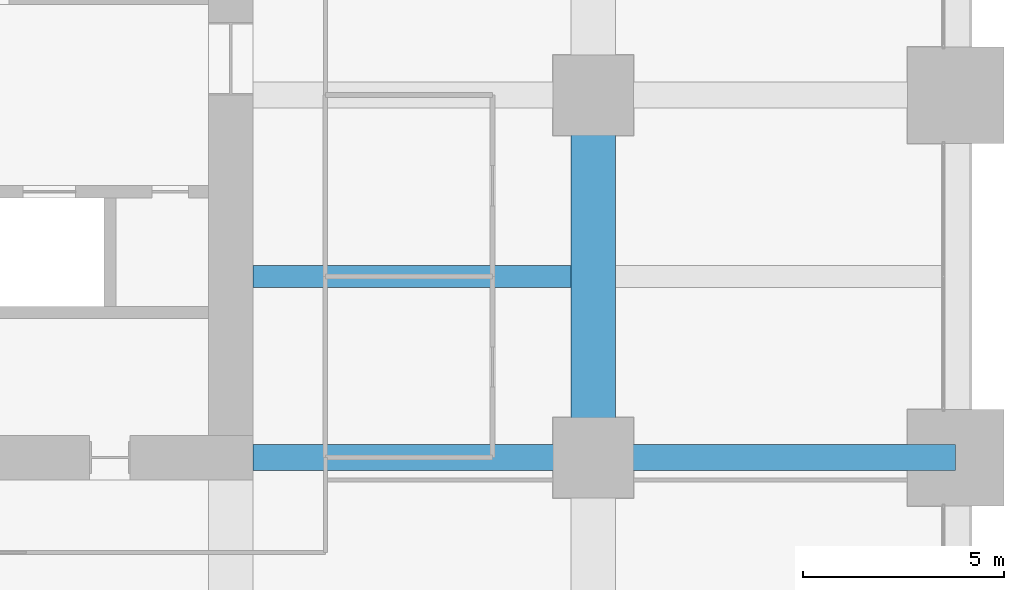
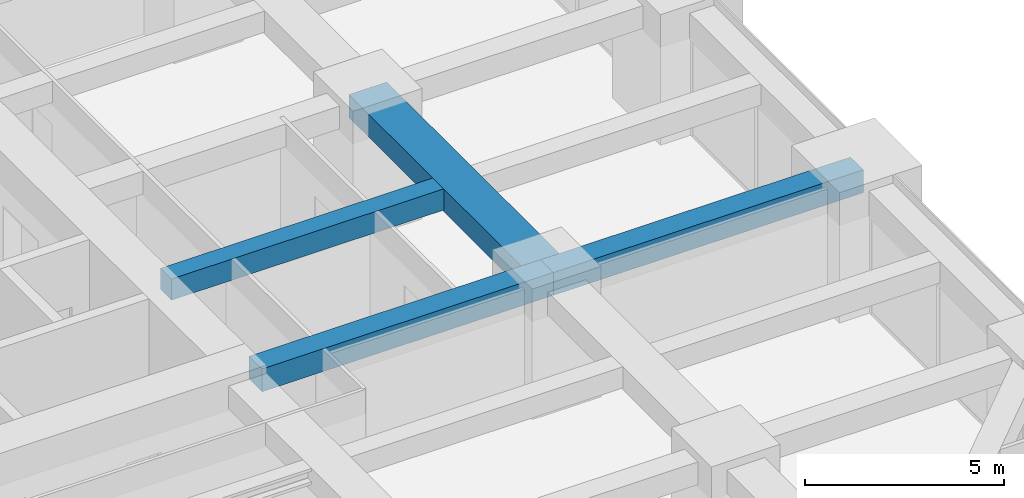
# One storey, part 20 of 39: 4 beams.
"""IFC4 building model written with IfcOpenShell, lengths in metres."""

from ifc_helpers import new_model, si_unit, direction, frame, origin, origin_2d, place, context, subcontext, project, spatial, rectangle, extrude, material, material_profile, profile_set, type_object, element, save


model = new_model("IFC4")

# Units and contexts
model_context = context("Model", 3, precision=1e-05, world=origin(), true_north=direction((0.0, 1.0)))
body_context = subcontext(model_context, "Body", "Model", "MODEL_VIEW")
ifc_project = project(units=[si_unit("LENGTHUNIT", "METRE"), si_unit("AREAUNIT", "SQUARE_METRE"), si_unit("VOLUMEUNIT", "CUBIC_METRE"), si_unit("PLANEANGLEUNIT", "RADIAN"), si_unit("MASSUNIT", "GRAM", prefix="KILO")], contexts=[model_context])

# Site, building, storey
site_placement = place(None, origin())
site = spatial("IfcSite", under=ifc_project, at=site_placement, CompositionType="ELEMENT")
building_placement = place(site_placement, origin())
building = spatial("IfcBuilding", under=site, at=building_placement, Name="Zorevar Civic Tower", CompositionType="ELEMENT")
storey_placement = place(building_placement, frame((0.0, 0.0, 117.0)))
storey = spatial("IfcBuildingStorey", under=building, at=storey_placement, Name="L28", CompositionType="ELEMENT", Elevation=117.0)

# Beams
ifc_material_1 = material(Name="Concrete C50/60", Category="concrete")
ifc_material_profile_1 = material_profile(ifc_material_1, rectangle(XDim=1.10009765625, YDim=0.699951171875, at=origin_2d()), Name="RC 1100x700")
ifc_profile_set_1 = profile_set([ifc_material_profile_1], Name="Concrete C50/60")
beam_type_1 = type_object("IfcBeamType", Name="Beam RC 1100x700", PredefinedType="BEAM", material=ifc_profile_set_1)
beam_1_placement = place(storey_placement, frame((54.0, 18.0, 3.39990234375), z_axis=(0.0, 1.0, 0.0), x_axis=(-1.0, 0.0, 0.0)))
element("IfcBeam", 1, at=beam_1_placement, inside=storey, type_object=beam_type_1, Name="Girder L29", PredefinedType="BEAM", context=body_context, shape_type="SweptSolid", body=[
    extrude(rectangle(XDim=1.10009765625, YDim=0.699951171875, at=origin_2d()), origin(), (0.0, 0.0, 1.0), 9.0),
])
ifc_material_2 = material(Name="Concrete C50/60", Category="concrete")
ifc_material_profile_2 = material_profile(ifc_material_2, rectangle(XDim=0.550048828125, YDim=0.64990234375, at=origin_2d()), Name="RC 550x650")
ifc_profile_set_2 = profile_set([ifc_material_profile_2], Name="Concrete C50/60")
beam_type_2 = type_object("IfcBeamType", Name="Beam RC 550x650", PredefinedType="BEAM", material=ifc_profile_set_2)
beam_2_placement = place(storey_placement, frame((45.550048828125, 22.5, 3.425048828125), z_axis=(1.0, 0.0, 0.0), x_axis=(0.0, 1.0, 0.0)))
element("IfcBeam", 2, at=beam_2_placement, inside=storey, type_object=beam_type_2, Name="Secondary beam L29", PredefinedType="BEAM", context=body_context, shape_type="SweptSolid", body=[
    extrude(rectangle(XDim=0.550048828125, YDim=0.64990234375, at=origin_2d()), origin(), (0.0, 0.0, 1.0), 7.89990234375),
])
ifc_material_3 = material(Name="Concrete C50/60", Category="concrete")
ifc_material_profile_3 = material_profile(ifc_material_3, rectangle(XDim=0.64990234375, YDim=0.699951171875, at=origin_2d()), Name="RC 650x700")
ifc_profile_set_3 = profile_set([ifc_material_profile_3], Name="Concrete C50/60")
beam_type_3 = type_object("IfcBeamType", Name="Beam RC 650x700", PredefinedType="BEAM", material=ifc_profile_set_3)
beam_3_placement = place(storey_placement, frame((45.550048828125, 18.0, 3.39990234375), z_axis=(1.0, 0.0, 0.0), x_axis=(0.0, 1.0, 0.0)))
element("IfcBeam", 3, at=beam_3_placement, inside=storey, type_object=beam_type_3, Name="Girder L29", PredefinedType="BEAM", context=body_context, shape_type="SweptSolid", body=[
    extrude(rectangle(XDim=0.64990234375, YDim=0.699951171875, at=origin_2d()), origin(), (0.0, 0.0, 1.0), 8.449951171875),
])
beam_4_placement = place(storey_placement, frame((54.0, 18.0, 3.39990234375), z_axis=(1.0, 0.0, 0.0), x_axis=(0.0, 1.0, 0.0)))
element("IfcBeam", 4, at=beam_4_placement, inside=storey, type_object=beam_type_3, Name="Girder L29", PredefinedType="BEAM", context=body_context, shape_type="SweptSolid", body=[
    extrude(rectangle(XDim=0.64990234375, YDim=0.699951171875, at=origin_2d()), origin(), (0.0, 0.0, 1.0), 9.0),
])

save(model, "model.ifc")
